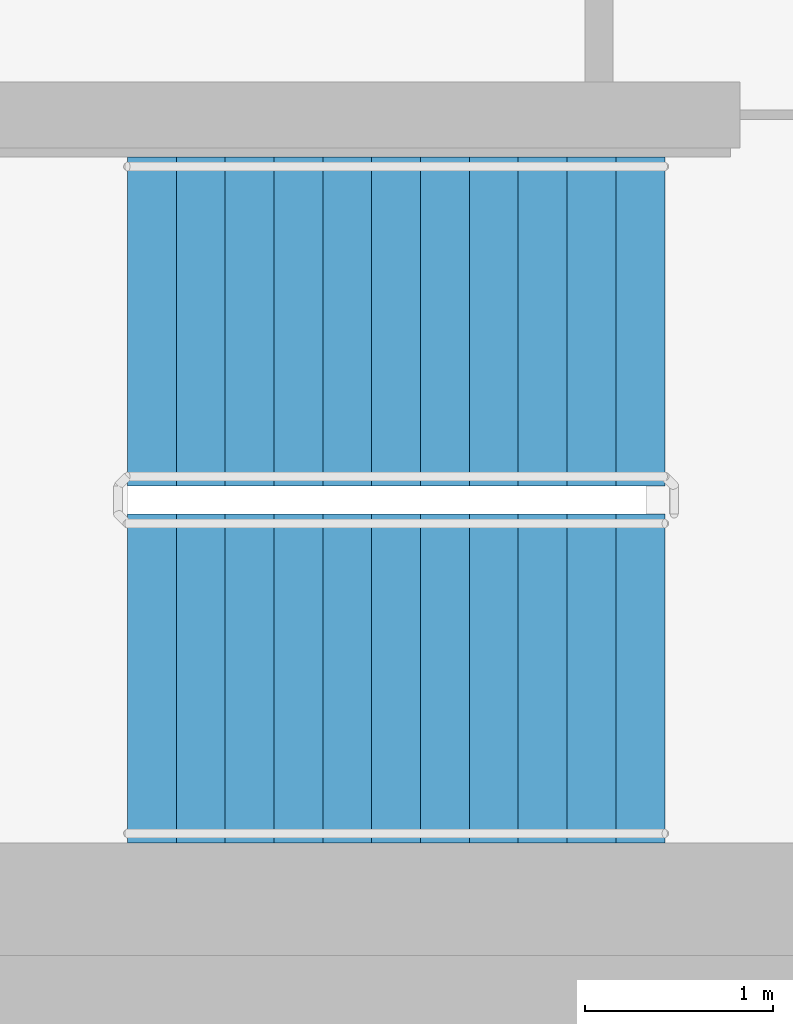
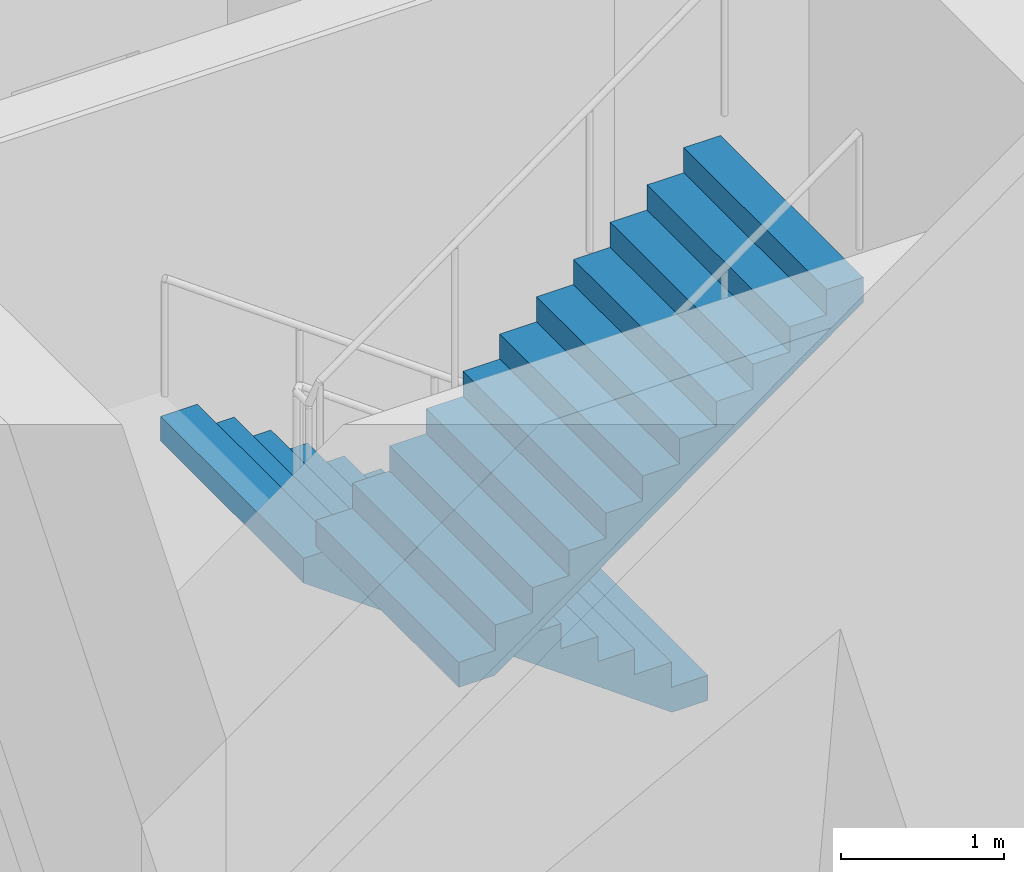
# One storey, part 11 of 17: 2 stair flights, 1 element without a shape of its own.
"""IFC4 building model written with IfcOpenShell, lengths in metres."""

from ifc_helpers import new_model, si_unit, direction, frame, origin, place, context, subcontext, project, spatial, faceted_brep, material, type_object, element, aggregate, save


model = new_model("IFC4")

# Units and contexts
model_context = context("Model", 3, precision=1e-05, world=origin(), true_north=direction((0.0, 1.0)))
body_context = subcontext(model_context, "Body", "Model", "MODEL_VIEW")
ifc_project = project(units=[si_unit("LENGTHUNIT", "METRE"), si_unit("AREAUNIT", "SQUARE_METRE"), si_unit("VOLUMEUNIT", "CUBIC_METRE"), si_unit("PLANEANGLEUNIT", "RADIAN"), si_unit("MASSUNIT", "GRAM", prefix="KILO")], contexts=[model_context])

# Site, building, storey
site_placement = place(None, origin())
site = spatial("IfcSite", under=ifc_project, at=site_placement, CompositionType="ELEMENT")
building_placement = place(site_placement, origin())
building = spatial("IfcBuilding", under=site, at=building_placement, Name="Ipe Terrace Towers", CompositionType="ELEMENT")
storey_placement = place(building_placement, frame((0.0, 0.0, 246.89990234375)))
storey = spatial("IfcBuildingStorey", under=building, at=storey_placement, Name="L68", CompositionType="ELEMENT", Elevation=246.89990234375)

# Stair, stair flights
ifc_material_1 = material(Name="Concrete C30/37", Category="concrete")
stair_type = type_object("IfcStairType", Name="Protected exit stair", PredefinedType="HALF_TURN_STAIR", material=ifc_material_1)
stair_placement = place(storey_placement, origin())
stair = element("IfcStair", 1, at=stair_placement, inside=storey, type_object=stair_type, Name="L68 Exit stair T1-C2", PredefinedType="HALF_TURN_STAIR")
ifc_material_2 = material(Name="Concrete C30/37", Category="concrete")
stair_flight_type = type_object("IfcStairFlightType", Name="Exit stair flight 1750", PredefinedType="STRAIGHT", material=ifc_material_2)
stair_flight_1_placement = place(storey_placement, frame((-45.699951171875, -2.77490234375, 0.0), z_axis=(0.0, 0.0, 1.0), x_axis=(-1.0, 0.0, 0.0)))
stair_flight_1 = element("IfcStairFlight", 2, at=stair_flight_1_placement, type_object=stair_flight_type, Name="T1-ST2 flight 1", NumberOfRisers=12, NumberOfTreads=11, PredefinedType="STRAIGHT", RiserHeight=0.1875, TreadLength=0.26, context=body_context, shape_type="Brep", body=[
    faceted_brep([(0.25634765625, -0.875, 0.0), (2.860107421875, -0.875, 1.877685546875), (2.860107421875, -0.875, 2.0625), (2.60009765625, -0.875, 2.0625), (2.60009765625, -0.875, 1.875), (2.340087890625, -0.875, 1.875), (2.340087890625, -0.875, 1.6875), (2.080078125, -0.875, 1.6875), (2.080078125, -0.875, 1.5), (1.820068359375, -0.875, 1.5), (1.820068359375, -0.875, 1.3125), (1.56005859375, -0.875, 1.3125), (1.56005859375, -0.875, 1.125), (1.300048828125, -0.875, 1.125), (1.300048828125, -0.875, 0.9375), (1.0400390625, -0.875, 0.9375), (1.0400390625, -0.875, 0.75), (0.780029296875, -0.875, 0.75), (0.780029296875, -0.875, 0.5625), (0.52001953125, -0.875, 0.5625), (0.52001953125, -0.875, 0.375), (0.260009765625, -0.875, 0.375), (0.260009765625, -0.875, 0.1875), (0.0, -0.875, 0.1875), (0.0, -0.875, 0.0), (0.0, 0.875, 0.0), (0.0, 0.875, 0.1875), (0.260009765625, 0.875, 0.1875), (0.260009765625, 0.875, 0.375), (0.52001953125, 0.875, 0.375), (0.52001953125, 0.875, 0.5625), (0.780029296875, 0.875, 0.5625), (0.780029296875, 0.875, 0.75), (1.0400390625, 0.875, 0.75), (1.0400390625, 0.875, 0.9375), (1.300048828125, 0.875, 0.9375), (1.300048828125, 0.875, 1.125), (1.56005859375, 0.875, 1.125), (1.56005859375, 0.875, 1.3125), (1.820068359375, 0.875, 1.3125), (1.820068359375, 0.875, 1.5), (2.080078125, 0.875, 1.5), (2.080078125, 0.875, 1.6875), (2.340087890625, 0.875, 1.6875), (2.340087890625, 0.875, 1.875), (2.60009765625, 0.875, 1.875), (2.60009765625, 0.875, 2.0625), (2.860107421875, 0.875, 2.0625), (2.860107421875, 0.875, 1.877685546875), (0.25634765625, 0.875, 0.0), (0.0, -0.300048828125, 0.1875), (0.0, -0.1201171875, 0.1875), (0.0, -0.06005859375, 0.1875), (0.0, -0.030029296875, 0.1875), (0.0, -0.010009765625, 0.1875), (0.0, 0.0, 0.1875), (0.0, 0.010009765625, 0.1875), (0.0, 0.030029296875, 0.1875), (0.0, 0.06005859375, 0.1875), (0.0, 0.1201171875, 0.1875), (0.0, 0.300048828125, 0.1875), (0.0, 0.300048828125, 0.0), (0.0, 0.1201171875, 0.0), (0.0, 0.06005859375, 0.0), (0.0, 0.030029296875, 0.0), (0.0, 0.010009765625, 0.0), (0.0, 0.0, 0.0), (0.0, -0.010009765625, 0.0), (0.0, -0.030029296875, 0.0), (0.0, -0.06005859375, 0.0), (0.0, -0.1201171875, 0.0), (0.0, -0.300048828125, 0.0), (0.260009765625, -0.300048828125, 0.1875), (0.260009765625, -0.1201171875, 0.1875), (0.260009765625, -0.06005859375, 0.1875), (0.260009765625, -0.030029296875, 0.1875), (0.260009765625, -0.010009765625, 0.1875), (0.260009765625, 0.0, 0.1875), (0.260009765625, 0.010009765625, 0.1875), (0.260009765625, 0.030029296875, 0.1875), (0.260009765625, 0.06005859375, 0.1875), (0.260009765625, 0.1201171875, 0.1875), (0.260009765625, 0.300048828125, 0.1875), (0.260009765625, -0.300048828125, 0.375), (0.260009765625, -0.1201171875, 0.375), (0.260009765625, -0.06005859375, 0.375), (0.260009765625, -0.030029296875, 0.375), (0.260009765625, -0.010009765625, 0.375), (0.260009765625, 0.0, 0.375), (0.260009765625, 0.010009765625, 0.375), (0.260009765625, 0.030029296875, 0.375), (0.260009765625, 0.06005859375, 0.375), (0.260009765625, 0.1201171875, 0.375), (0.260009765625, 0.300048828125, 0.375), (0.52001953125, -0.300048828125, 0.375), (0.52001953125, -0.1201171875, 0.375), (0.52001953125, -0.06005859375, 0.375), (0.52001953125, -0.030029296875, 0.375), (0.52001953125, -0.010009765625, 0.375), (0.52001953125, 0.0, 0.375), (0.52001953125, 0.010009765625, 0.375), (0.52001953125, 0.030029296875, 0.375), (0.52001953125, 0.06005859375, 0.375), (0.52001953125, 0.1201171875, 0.375), (0.52001953125, 0.300048828125, 0.375), (0.52001953125, -0.300048828125, 0.5625), (0.52001953125, -0.1201171875, 0.5625), (0.52001953125, -0.06005859375, 0.5625), (0.52001953125, -0.030029296875, 0.5625), (0.52001953125, -0.010009765625, 0.5625), (0.52001953125, 0.0, 0.5625), (0.52001953125, 0.010009765625, 0.5625), (0.52001953125, 0.030029296875, 0.5625), (0.52001953125, 0.06005859375, 0.5625), (0.52001953125, 0.1201171875, 0.5625), (0.52001953125, 0.300048828125, 0.5625), (0.780029296875, -0.300048828125, 0.5625), (0.780029296875, -0.1201171875, 0.5625), (0.780029296875, -0.06005859375, 0.5625), (0.780029296875, -0.030029296875, 0.5625), (0.780029296875, -0.010009765625, 0.5625), (0.780029296875, 0.0, 0.5625), (0.780029296875, 0.010009765625, 0.5625), (0.780029296875, 0.030029296875, 0.5625), (0.780029296875, 0.06005859375, 0.5625), (0.780029296875, 0.1201171875, 0.5625), (0.780029296875, 0.300048828125, 0.5625), (0.780029296875, -0.300048828125, 0.75), (0.780029296875, -0.1201171875, 0.75), (0.780029296875, -0.06005859375, 0.75), (0.780029296875, -0.030029296875, 0.75), (0.780029296875, -0.010009765625, 0.75), (0.780029296875, 0.0, 0.75), (0.780029296875, 0.010009765625, 0.75), (0.780029296875, 0.030029296875, 0.75), (0.780029296875, 0.06005859375, 0.75), (0.780029296875, 0.1201171875, 0.75), (0.780029296875, 0.300048828125, 0.75), (1.0400390625, -0.300048828125, 0.75), (1.0400390625, -0.1201171875, 0.75), (1.0400390625, -0.06005859375, 0.75), (1.0400390625, -0.030029296875, 0.75), (1.0400390625, -0.010009765625, 0.75), (1.0400390625, 0.0, 0.75), (1.0400390625, 0.010009765625, 0.75), (1.0400390625, 0.030029296875, 0.75), (1.0400390625, 0.06005859375, 0.75), (1.0400390625, 0.1201171875, 0.75), (1.0400390625, 0.300048828125, 0.75), (1.0400390625, -0.300048828125, 0.9375), (1.0400390625, -0.1201171875, 0.9375), (1.0400390625, -0.06005859375, 0.9375), (1.0400390625, -0.030029296875, 0.9375), (1.0400390625, -0.010009765625, 0.9375), (1.0400390625, 0.0, 0.9375), (1.0400390625, 0.010009765625, 0.9375), (1.0400390625, 0.030029296875, 0.9375), (1.0400390625, 0.06005859375, 0.9375), (1.0400390625, 0.1201171875, 0.9375), (1.0400390625, 0.300048828125, 0.9375), (1.300048828125, -0.300048828125, 0.9375), (1.300048828125, -0.1201171875, 0.9375), (1.300048828125, -0.06005859375, 0.9375), (1.300048828125, -0.030029296875, 0.9375), (1.300048828125, -0.010009765625, 0.9375), (1.300048828125, 0.0, 0.9375), (1.300048828125, 0.010009765625, 0.9375), (1.300048828125, 0.030029296875, 0.9375), (1.300048828125, 0.06005859375, 0.9375), (1.300048828125, 0.1201171875, 0.9375), (1.300048828125, 0.300048828125, 0.9375), (1.300048828125, -0.300048828125, 1.125), (1.300048828125, -0.1201171875, 1.125), (1.300048828125, -0.06005859375, 1.125), (1.300048828125, -0.030029296875, 1.125), (1.300048828125, -0.010009765625, 1.125), (1.300048828125, 0.0, 1.125), (1.300048828125, 0.010009765625, 1.125), (1.300048828125, 0.030029296875, 1.125), (1.300048828125, 0.06005859375, 1.125), (1.300048828125, 0.1201171875, 1.125), (1.300048828125, 0.300048828125, 1.125), (1.56005859375, -0.300048828125, 1.125), (1.56005859375, -0.1201171875, 1.125), (1.56005859375, -0.06005859375, 1.125), (1.56005859375, -0.030029296875, 1.125), (1.56005859375, -0.010009765625, 1.125), (1.56005859375, 0.0, 1.125), (1.56005859375, 0.010009765625, 1.125), (1.56005859375, 0.030029296875, 1.125), (1.56005859375, 0.06005859375, 1.125), (1.56005859375, 0.1201171875, 1.125), (1.56005859375, 0.300048828125, 1.125), (1.56005859375, -0.300048828125, 1.3125), (1.56005859375, -0.1201171875, 1.3125), (1.56005859375, -0.06005859375, 1.3125), (1.56005859375, -0.030029296875, 1.3125), (1.56005859375, -0.010009765625, 1.3125), (1.56005859375, 0.0, 1.3125), (1.56005859375, 0.010009765625, 1.3125), (1.56005859375, 0.030029296875, 1.3125), (1.56005859375, 0.06005859375, 1.3125), (1.56005859375, 0.1201171875, 1.3125), (1.56005859375, 0.300048828125, 1.3125), (1.820068359375, -0.300048828125, 1.3125), (1.820068359375, -0.1201171875, 1.3125), (1.820068359375, -0.06005859375, 1.3125), (1.820068359375, -0.030029296875, 1.3125), (1.820068359375, -0.010009765625, 1.3125), (1.820068359375, 0.0, 1.3125), (1.820068359375, 0.010009765625, 1.3125), (1.820068359375, 0.030029296875, 1.3125), (1.820068359375, 0.06005859375, 1.3125), (1.820068359375, 0.1201171875, 1.3125), (1.820068359375, 0.300048828125, 1.3125), (1.820068359375, -0.300048828125, 1.5), (1.820068359375, -0.1201171875, 1.5), (1.820068359375, -0.06005859375, 1.5), (1.820068359375, -0.030029296875, 1.5), (1.820068359375, -0.010009765625, 1.5), (1.820068359375, 0.0, 1.5), (1.820068359375, 0.010009765625, 1.5), (1.820068359375, 0.030029296875, 1.5), (1.820068359375, 0.06005859375, 1.5), (1.820068359375, 0.1201171875, 1.5), (1.820068359375, 0.300048828125, 1.5), (2.080078125, -0.300048828125, 1.5), (2.080078125, -0.1201171875, 1.5), (2.080078125, -0.06005859375, 1.5), (2.080078125, -0.030029296875, 1.5), (2.080078125, -0.010009765625, 1.5), (2.080078125, 0.0, 1.5), (2.080078125, 0.010009765625, 1.5), (2.080078125, 0.030029296875, 1.5), (2.080078125, 0.06005859375, 1.5), (2.080078125, 0.1201171875, 1.5), (2.080078125, 0.300048828125, 1.5), (2.080078125, -0.300048828125, 1.6875), (2.080078125, -0.1201171875, 1.6875), (2.080078125, -0.06005859375, 1.6875), (2.080078125, -0.030029296875, 1.6875), (2.080078125, -0.010009765625, 1.6875), (2.080078125, 0.0, 1.6875), (2.080078125, 0.010009765625, 1.6875), (2.080078125, 0.030029296875, 1.6875), (2.080078125, 0.06005859375, 1.6875), (2.080078125, 0.1201171875, 1.6875), (2.080078125, 0.300048828125, 1.6875), (2.340087890625, -0.300048828125, 1.6875), (2.340087890625, -0.1201171875, 1.6875), (2.340087890625, -0.06005859375, 1.6875), (2.340087890625, -0.030029296875, 1.6875), (2.340087890625, -0.010009765625, 1.6875), (2.340087890625, 0.0, 1.6875), (2.340087890625, 0.010009765625, 1.6875), (2.340087890625, 0.030029296875, 1.6875), (2.340087890625, 0.06005859375, 1.6875), (2.340087890625, 0.1201171875, 1.6875), (2.340087890625, 0.300048828125, 1.6875), (2.340087890625, -0.300048828125, 1.875), (2.340087890625, -0.1201171875, 1.875), (2.340087890625, -0.06005859375, 1.875), (2.340087890625, -0.030029296875, 1.875), (2.340087890625, -0.010009765625, 1.875), (2.340087890625, 0.0, 1.875), (2.340087890625, 0.010009765625, 1.875), (2.340087890625, 0.030029296875, 1.875), (2.340087890625, 0.06005859375, 1.875), (2.340087890625, 0.1201171875, 1.875), (2.340087890625, 0.300048828125, 1.875), (2.60009765625, -0.300048828125, 1.875), (2.60009765625, -0.1201171875, 1.875), (2.60009765625, -0.06005859375, 1.875), (2.60009765625, -0.030029296875, 1.875), (2.60009765625, -0.010009765625, 1.875), (2.60009765625, 0.0, 1.875), (2.60009765625, 0.010009765625, 1.875), (2.60009765625, 0.030029296875, 1.875), (2.60009765625, 0.06005859375, 1.875), (2.60009765625, 0.1201171875, 1.875), (2.60009765625, 0.300048828125, 1.875), (2.60009765625, -0.300048828125, 2.0625), (2.60009765625, -0.1201171875, 2.0625), (2.60009765625, -0.06005859375, 2.0625), (2.60009765625, -0.030029296875, 2.0625), (2.60009765625, -0.010009765625, 2.0625), (2.60009765625, 0.0, 2.0625), (2.60009765625, 0.010009765625, 2.0625), (2.60009765625, 0.030029296875, 2.0625), (2.60009765625, 0.06005859375, 2.0625), (2.60009765625, 0.1201171875, 2.0625), (2.60009765625, 0.300048828125, 2.0625), (2.860107421875, -0.300048828125, 2.0625), (2.860107421875, -0.1201171875, 2.0625), (2.860107421875, -0.06005859375, 2.0625), (2.860107421875, -0.030029296875, 2.0625), (2.860107421875, -0.010009765625, 2.0625), (2.860107421875, 0.0, 2.0625), (2.860107421875, 0.010009765625, 2.0625), (2.860107421875, 0.030029296875, 2.0625), (2.860107421875, 0.06005859375, 2.0625), (2.860107421875, 0.1201171875, 2.0625), (2.860107421875, 0.300048828125, 2.0625), (2.860107421875, -0.300048828125, 1.877685546875), (2.860107421875, -0.1201171875, 1.877685546875), (2.860107421875, -0.06005859375, 1.877685546875), (2.860107421875, -0.030029296875, 1.877685546875), (2.860107421875, -0.010009765625, 1.877685546875), (2.860107421875, 0.0, 1.877685546875), (2.860107421875, 0.010009765625, 1.877685546875), (2.860107421875, 0.030029296875, 1.877685546875), (2.860107421875, 0.06005859375, 1.877685546875), (2.860107421875, 0.1201171875, 1.877685546875), (2.860107421875, 0.300048828125, 1.877685546875), (0.25634765625, -0.300048828125, 0.0), (0.25634765625, -0.1201171875, 0.0), (0.25634765625, -0.06005859375, 0.0), (0.25634765625, -0.030029296875, 0.0), (0.25634765625, -0.010009765625, 0.0), (0.25634765625, 0.0, 0.0), (0.25634765625, 0.010009765625, 0.0), (0.25634765625, 0.030029296875, 0.0), (0.25634765625, 0.06005859375, 0.0), (0.25634765625, 0.1201171875, 0.0), (0.25634765625, 0.300048828125, 0.0)], [[[0, 1, 2, 3, 4, 5, 6, 7, 8, 9, 10, 11, 12, 13, 14, 15, 16, 17, 18, 19, 20, 21, 22, 23, 24]], [[25, 26, 27, 28, 29, 30, 31, 32, 33, 34, 35, 36, 37, 38, 39, 40, 41, 42, 43, 44, 45, 46, 47, 48, 49]], [[23, 50, 51, 52, 53, 54, 55, 56, 57, 58, 59, 60, 26, 25, 61, 62, 63, 64, 65, 66, 67, 68, 69, 70, 71, 24]], [[22, 72, 73, 74, 75, 76, 77, 78, 79, 80, 81, 82, 27, 26, 60, 59, 58, 57, 56, 55, 54, 53, 52, 51, 50, 23]], [[21, 83, 84, 85, 86, 87, 88, 89, 90, 91, 92, 93, 28, 27, 82, 81, 80, 79, 78, 77, 76, 75, 74, 73, 72, 22]], [[20, 94, 95, 96, 97, 98, 99, 100, 101, 102, 103, 104, 29, 28, 93, 92, 91, 90, 89, 88, 87, 86, 85, 84, 83, 21]], [[19, 105, 106, 107, 108, 109, 110, 111, 112, 113, 114, 115, 30, 29, 104, 103, 102, 101, 100, 99, 98, 97, 96, 95, 94, 20]], [[18, 116, 117, 118, 119, 120, 121, 122, 123, 124, 125, 126, 31, 30, 115, 114, 113, 112, 111, 110, 109, 108, 107, 106, 105, 19]], [[17, 127, 128, 129, 130, 131, 132, 133, 134, 135, 136, 137, 32, 31, 126, 125, 124, 123, 122, 121, 120, 119, 118, 117, 116, 18]], [[16, 138, 139, 140, 141, 142, 143, 144, 145, 146, 147, 148, 33, 32, 137, 136, 135, 134, 133, 132, 131, 130, 129, 128, 127, 17]], [[15, 149, 150, 151, 152, 153, 154, 155, 156, 157, 158, 159, 34, 33, 148, 147, 146, 145, 144, 143, 142, 141, 140, 139, 138, 16]], [[14, 160, 161, 162, 163, 164, 165, 166, 167, 168, 169, 170, 35, 34, 159, 158, 157, 156, 155, 154, 153, 152, 151, 150, 149, 15]], [[13, 171, 172, 173, 174, 175, 176, 177, 178, 179, 180, 181, 36, 35, 170, 169, 168, 167, 166, 165, 164, 163, 162, 161, 160, 14]], [[12, 182, 183, 184, 185, 186, 187, 188, 189, 190, 191, 192, 37, 36, 181, 180, 179, 178, 177, 176, 175, 174, 173, 172, 171, 13]], [[11, 193, 194, 195, 196, 197, 198, 199, 200, 201, 202, 203, 38, 37, 192, 191, 190, 189, 188, 187, 186, 185, 184, 183, 182, 12]], [[10, 204, 205, 206, 207, 208, 209, 210, 211, 212, 213, 214, 39, 38, 203, 202, 201, 200, 199, 198, 197, 196, 195, 194, 193, 11]], [[9, 215, 216, 217, 218, 219, 220, 221, 222, 223, 224, 225, 40, 39, 214, 213, 212, 211, 210, 209, 208, 207, 206, 205, 204, 10]], [[8, 226, 227, 228, 229, 230, 231, 232, 233, 234, 235, 236, 41, 40, 225, 224, 223, 222, 221, 220, 219, 218, 217, 216, 215, 9]], [[7, 237, 238, 239, 240, 241, 242, 243, 244, 245, 246, 247, 42, 41, 236, 235, 234, 233, 232, 231, 230, 229, 228, 227, 226, 8]], [[6, 248, 249, 250, 251, 252, 253, 254, 255, 256, 257, 258, 43, 42, 247, 246, 245, 244, 243, 242, 241, 240, 239, 238, 237, 7]], [[5, 259, 260, 261, 262, 263, 264, 265, 266, 267, 268, 269, 44, 43, 258, 257, 256, 255, 254, 253, 252, 251, 250, 249, 248, 6]], [[4, 270, 271, 272, 273, 274, 275, 276, 277, 278, 279, 280, 45, 44, 269, 268, 267, 266, 265, 264, 263, 262, 261, 260, 259, 5]], [[3, 281, 282, 283, 284, 285, 286, 287, 288, 289, 290, 291, 46, 45, 280, 279, 278, 277, 276, 275, 274, 273, 272, 271, 270, 4]], [[2, 292, 293, 294, 295, 296, 297, 298, 299, 300, 301, 302, 47, 46, 291, 290, 289, 288, 287, 286, 285, 284, 283, 282, 281, 3]], [[1, 303, 304, 305, 306, 307, 308, 309, 310, 311, 312, 313, 48, 47, 302, 301, 300, 299, 298, 297, 296, 295, 294, 293, 292, 2]], [[0, 314, 315, 316, 317, 318, 319, 320, 321, 322, 323, 324, 49, 48, 313, 312, 311, 310, 309, 308, 307, 306, 305, 304, 303, 1]], [[24, 71, 70, 69, 68, 67, 66, 65, 64, 63, 62, 61, 25, 49, 324, 323, 322, 321, 320, 319, 318, 317, 316, 315, 314, 0]]]),
])
stair_flight_2_placement = place(storey_placement, frame((-48.56005859375, -4.675048828125, 2.25), z_axis=(0.0, 0.0, 1.0), x_axis=(1.0, 0.0, 0.0)))
stair_flight_2 = element("IfcStairFlight", 3, at=stair_flight_2_placement, type_object=stair_flight_type, Name="T1-ST2 flight 2", NumberOfRisers=12, NumberOfTreads=11, PredefinedType="STRAIGHT", RiserHeight=0.1875, TreadLength=0.26, context=body_context, shape_type="Brep", body=[
    faceted_brep([(0.25634765625, -0.875, 0.0), (2.860107421875, -0.875, 1.877685546875), (2.860107421875, -0.875, 2.0625), (2.60009765625, -0.875, 2.0625), (2.60009765625, -0.875, 1.875), (2.340087890625, -0.875, 1.875), (2.340087890625, -0.875, 1.6875), (2.080078125, -0.875, 1.6875), (2.080078125, -0.875, 1.5), (1.820068359375, -0.875, 1.5), (1.820068359375, -0.875, 1.3125), (1.56005859375, -0.875, 1.3125), (1.56005859375, -0.875, 1.125), (1.300048828125, -0.875, 1.125), (1.300048828125, -0.875, 0.9375), (1.0400390625, -0.875, 0.9375), (1.0400390625, -0.875, 0.75), (0.780029296875, -0.875, 0.75), (0.780029296875, -0.875, 0.5625), (0.52001953125, -0.875, 0.5625), (0.52001953125, -0.875, 0.375), (0.260009765625, -0.875, 0.375), (0.260009765625, -0.875, 0.1875), (0.0, -0.875, 0.1875), (0.0, -0.875, 0.0), (0.0, 0.875, 0.0), (0.0, 0.875, 0.1875), (0.260009765625, 0.875, 0.1875), (0.260009765625, 0.875, 0.375), (0.52001953125, 0.875, 0.375), (0.52001953125, 0.875, 0.5625), (0.780029296875, 0.875, 0.5625), (0.780029296875, 0.875, 0.75), (1.0400390625, 0.875, 0.75), (1.0400390625, 0.875, 0.9375), (1.300048828125, 0.875, 0.9375), (1.300048828125, 0.875, 1.125), (1.56005859375, 0.875, 1.125), (1.56005859375, 0.875, 1.3125), (1.820068359375, 0.875, 1.3125), (1.820068359375, 0.875, 1.5), (2.080078125, 0.875, 1.5), (2.080078125, 0.875, 1.6875), (2.340087890625, 0.875, 1.6875), (2.340087890625, 0.875, 1.875), (2.60009765625, 0.875, 1.875), (2.60009765625, 0.875, 2.0625), (2.860107421875, 0.875, 2.0625), (2.860107421875, 0.875, 1.877685546875), (0.25634765625, 0.875, 0.0), (0.0, -0.300048828125, 0.1875), (0.0, -0.1201171875, 0.1875), (0.0, -0.06005859375, 0.1875), (0.0, -0.030029296875, 0.1875), (0.0, -0.010009765625, 0.1875), (0.0, 0.0, 0.1875), (0.0, 0.010009765625, 0.1875), (0.0, 0.030029296875, 0.1875), (0.0, 0.06005859375, 0.1875), (0.0, 0.1201171875, 0.1875), (0.0, 0.300048828125, 0.1875), (0.0, 0.300048828125, 0.0), (0.0, 0.1201171875, 0.0), (0.0, 0.06005859375, 0.0), (0.0, 0.030029296875, 0.0), (0.0, 0.010009765625, 0.0), (0.0, 0.0, 0.0), (0.0, -0.010009765625, 0.0), (0.0, -0.030029296875, 0.0), (0.0, -0.06005859375, 0.0), (0.0, -0.1201171875, 0.0), (0.0, -0.300048828125, 0.0), (0.260009765625, -0.300048828125, 0.1875), (0.260009765625, -0.1201171875, 0.1875), (0.260009765625, -0.06005859375, 0.1875), (0.260009765625, -0.030029296875, 0.1875), (0.260009765625, -0.010009765625, 0.1875), (0.260009765625, 0.0, 0.1875), (0.260009765625, 0.010009765625, 0.1875), (0.260009765625, 0.030029296875, 0.1875), (0.260009765625, 0.06005859375, 0.1875), (0.260009765625, 0.1201171875, 0.1875), (0.260009765625, 0.300048828125, 0.1875), (0.260009765625, -0.300048828125, 0.375), (0.260009765625, -0.1201171875, 0.375), (0.260009765625, -0.06005859375, 0.375), (0.260009765625, -0.030029296875, 0.375), (0.260009765625, -0.010009765625, 0.375), (0.260009765625, 0.0, 0.375), (0.260009765625, 0.010009765625, 0.375), (0.260009765625, 0.030029296875, 0.375), (0.260009765625, 0.06005859375, 0.375), (0.260009765625, 0.1201171875, 0.375), (0.260009765625, 0.300048828125, 0.375), (0.52001953125, -0.300048828125, 0.375), (0.52001953125, -0.1201171875, 0.375), (0.52001953125, -0.06005859375, 0.375), (0.52001953125, -0.030029296875, 0.375), (0.52001953125, -0.010009765625, 0.375), (0.52001953125, 0.0, 0.375), (0.52001953125, 0.010009765625, 0.375), (0.52001953125, 0.030029296875, 0.375), (0.52001953125, 0.06005859375, 0.375), (0.52001953125, 0.1201171875, 0.375), (0.52001953125, 0.300048828125, 0.375), (0.52001953125, -0.300048828125, 0.5625), (0.52001953125, -0.1201171875, 0.5625), (0.52001953125, -0.06005859375, 0.5625), (0.52001953125, -0.030029296875, 0.5625), (0.52001953125, -0.010009765625, 0.5625), (0.52001953125, 0.0, 0.5625), (0.52001953125, 0.010009765625, 0.5625), (0.52001953125, 0.030029296875, 0.5625), (0.52001953125, 0.06005859375, 0.5625), (0.52001953125, 0.1201171875, 0.5625), (0.52001953125, 0.300048828125, 0.5625), (0.780029296875, -0.300048828125, 0.5625), (0.780029296875, -0.1201171875, 0.5625), (0.780029296875, -0.06005859375, 0.5625), (0.780029296875, -0.030029296875, 0.5625), (0.780029296875, -0.010009765625, 0.5625), (0.780029296875, 0.0, 0.5625), (0.780029296875, 0.010009765625, 0.5625), (0.780029296875, 0.030029296875, 0.5625), (0.780029296875, 0.06005859375, 0.5625), (0.780029296875, 0.1201171875, 0.5625), (0.780029296875, 0.300048828125, 0.5625), (0.780029296875, -0.300048828125, 0.75), (0.780029296875, -0.1201171875, 0.75), (0.780029296875, -0.06005859375, 0.75), (0.780029296875, -0.030029296875, 0.75), (0.780029296875, -0.010009765625, 0.75), (0.780029296875, 0.0, 0.75), (0.780029296875, 0.010009765625, 0.75), (0.780029296875, 0.030029296875, 0.75), (0.780029296875, 0.06005859375, 0.75), (0.780029296875, 0.1201171875, 0.75), (0.780029296875, 0.300048828125, 0.75), (1.0400390625, -0.300048828125, 0.75), (1.0400390625, -0.1201171875, 0.75), (1.0400390625, -0.06005859375, 0.75), (1.0400390625, -0.030029296875, 0.75), (1.0400390625, -0.010009765625, 0.75), (1.0400390625, 0.0, 0.75), (1.0400390625, 0.010009765625, 0.75), (1.0400390625, 0.030029296875, 0.75), (1.0400390625, 0.06005859375, 0.75), (1.0400390625, 0.1201171875, 0.75), (1.0400390625, 0.300048828125, 0.75), (1.0400390625, -0.300048828125, 0.9375), (1.0400390625, -0.1201171875, 0.9375), (1.0400390625, -0.06005859375, 0.9375), (1.0400390625, -0.030029296875, 0.9375), (1.0400390625, -0.010009765625, 0.9375), (1.0400390625, 0.0, 0.9375), (1.0400390625, 0.010009765625, 0.9375), (1.0400390625, 0.030029296875, 0.9375), (1.0400390625, 0.06005859375, 0.9375), (1.0400390625, 0.1201171875, 0.9375), (1.0400390625, 0.300048828125, 0.9375), (1.300048828125, -0.300048828125, 0.9375), (1.300048828125, -0.1201171875, 0.9375), (1.300048828125, -0.06005859375, 0.9375), (1.300048828125, -0.030029296875, 0.9375), (1.300048828125, -0.010009765625, 0.9375), (1.300048828125, 0.0, 0.9375), (1.300048828125, 0.010009765625, 0.9375), (1.300048828125, 0.030029296875, 0.9375), (1.300048828125, 0.06005859375, 0.9375), (1.300048828125, 0.1201171875, 0.9375), (1.300048828125, 0.300048828125, 0.9375), (1.300048828125, -0.300048828125, 1.125), (1.300048828125, -0.1201171875, 1.125), (1.300048828125, -0.06005859375, 1.125), (1.300048828125, -0.030029296875, 1.125), (1.300048828125, -0.010009765625, 1.125), (1.300048828125, 0.0, 1.125), (1.300048828125, 0.010009765625, 1.125), (1.300048828125, 0.030029296875, 1.125), (1.300048828125, 0.06005859375, 1.125), (1.300048828125, 0.1201171875, 1.125), (1.300048828125, 0.300048828125, 1.125), (1.56005859375, -0.300048828125, 1.125), (1.56005859375, -0.1201171875, 1.125), (1.56005859375, -0.06005859375, 1.125), (1.56005859375, -0.030029296875, 1.125), (1.56005859375, -0.010009765625, 1.125), (1.56005859375, 0.0, 1.125), (1.56005859375, 0.010009765625, 1.125), (1.56005859375, 0.030029296875, 1.125), (1.56005859375, 0.06005859375, 1.125), (1.56005859375, 0.1201171875, 1.125), (1.56005859375, 0.300048828125, 1.125), (1.56005859375, -0.300048828125, 1.3125), (1.56005859375, -0.1201171875, 1.3125), (1.56005859375, -0.06005859375, 1.3125), (1.56005859375, -0.030029296875, 1.3125), (1.56005859375, -0.010009765625, 1.3125), (1.56005859375, 0.0, 1.3125), (1.56005859375, 0.010009765625, 1.3125), (1.56005859375, 0.030029296875, 1.3125), (1.56005859375, 0.06005859375, 1.3125), (1.56005859375, 0.1201171875, 1.3125), (1.56005859375, 0.300048828125, 1.3125), (1.820068359375, -0.300048828125, 1.3125), (1.820068359375, -0.1201171875, 1.3125), (1.820068359375, -0.06005859375, 1.3125), (1.820068359375, -0.030029296875, 1.3125), (1.820068359375, -0.010009765625, 1.3125), (1.820068359375, 0.0, 1.3125), (1.820068359375, 0.010009765625, 1.3125), (1.820068359375, 0.030029296875, 1.3125), (1.820068359375, 0.06005859375, 1.3125), (1.820068359375, 0.1201171875, 1.3125), (1.820068359375, 0.300048828125, 1.3125), (1.820068359375, -0.300048828125, 1.5), (1.820068359375, -0.1201171875, 1.5), (1.820068359375, -0.06005859375, 1.5), (1.820068359375, -0.030029296875, 1.5), (1.820068359375, -0.010009765625, 1.5), (1.820068359375, 0.0, 1.5), (1.820068359375, 0.010009765625, 1.5), (1.820068359375, 0.030029296875, 1.5), (1.820068359375, 0.06005859375, 1.5), (1.820068359375, 0.1201171875, 1.5), (1.820068359375, 0.300048828125, 1.5), (2.080078125, -0.300048828125, 1.5), (2.080078125, -0.1201171875, 1.5), (2.080078125, -0.06005859375, 1.5), (2.080078125, -0.030029296875, 1.5), (2.080078125, -0.010009765625, 1.5), (2.080078125, 0.0, 1.5), (2.080078125, 0.010009765625, 1.5), (2.080078125, 0.030029296875, 1.5), (2.080078125, 0.06005859375, 1.5), (2.080078125, 0.1201171875, 1.5), (2.080078125, 0.300048828125, 1.5), (2.080078125, -0.300048828125, 1.6875), (2.080078125, -0.1201171875, 1.6875), (2.080078125, -0.06005859375, 1.6875), (2.080078125, -0.030029296875, 1.6875), (2.080078125, -0.010009765625, 1.6875), (2.080078125, 0.0, 1.6875), (2.080078125, 0.010009765625, 1.6875), (2.080078125, 0.030029296875, 1.6875), (2.080078125, 0.06005859375, 1.6875), (2.080078125, 0.1201171875, 1.6875), (2.080078125, 0.300048828125, 1.6875), (2.340087890625, -0.300048828125, 1.6875), (2.340087890625, -0.1201171875, 1.6875), (2.340087890625, -0.06005859375, 1.6875), (2.340087890625, -0.030029296875, 1.6875), (2.340087890625, -0.010009765625, 1.6875), (2.340087890625, 0.0, 1.6875), (2.340087890625, 0.010009765625, 1.6875), (2.340087890625, 0.030029296875, 1.6875), (2.340087890625, 0.06005859375, 1.6875), (2.340087890625, 0.1201171875, 1.6875), (2.340087890625, 0.300048828125, 1.6875), (2.340087890625, -0.300048828125, 1.875), (2.340087890625, -0.1201171875, 1.875), (2.340087890625, -0.06005859375, 1.875), (2.340087890625, -0.030029296875, 1.875), (2.340087890625, -0.010009765625, 1.875), (2.340087890625, 0.0, 1.875), (2.340087890625, 0.010009765625, 1.875), (2.340087890625, 0.030029296875, 1.875), (2.340087890625, 0.06005859375, 1.875), (2.340087890625, 0.1201171875, 1.875), (2.340087890625, 0.300048828125, 1.875), (2.60009765625, -0.300048828125, 1.875), (2.60009765625, -0.1201171875, 1.875), (2.60009765625, -0.06005859375, 1.875), (2.60009765625, -0.030029296875, 1.875), (2.60009765625, -0.010009765625, 1.875), (2.60009765625, 0.0, 1.875), (2.60009765625, 0.010009765625, 1.875), (2.60009765625, 0.030029296875, 1.875), (2.60009765625, 0.06005859375, 1.875), (2.60009765625, 0.1201171875, 1.875), (2.60009765625, 0.300048828125, 1.875), (2.60009765625, -0.300048828125, 2.0625), (2.60009765625, -0.1201171875, 2.0625), (2.60009765625, -0.06005859375, 2.0625), (2.60009765625, -0.030029296875, 2.0625), (2.60009765625, -0.010009765625, 2.0625), (2.60009765625, 0.0, 2.0625), (2.60009765625, 0.010009765625, 2.0625), (2.60009765625, 0.030029296875, 2.0625), (2.60009765625, 0.06005859375, 2.0625), (2.60009765625, 0.1201171875, 2.0625), (2.60009765625, 0.300048828125, 2.0625), (2.860107421875, -0.300048828125, 2.0625), (2.860107421875, -0.1201171875, 2.0625), (2.860107421875, -0.06005859375, 2.0625), (2.860107421875, -0.030029296875, 2.0625), (2.860107421875, -0.010009765625, 2.0625), (2.860107421875, 0.0, 2.0625), (2.860107421875, 0.010009765625, 2.0625), (2.860107421875, 0.030029296875, 2.0625), (2.860107421875, 0.06005859375, 2.0625), (2.860107421875, 0.1201171875, 2.0625), (2.860107421875, 0.300048828125, 2.0625), (2.860107421875, -0.300048828125, 1.877685546875), (2.860107421875, -0.1201171875, 1.877685546875), (2.860107421875, -0.06005859375, 1.877685546875), (2.860107421875, -0.030029296875, 1.877685546875), (2.860107421875, -0.010009765625, 1.877685546875), (2.860107421875, 0.0, 1.877685546875), (2.860107421875, 0.010009765625, 1.877685546875), (2.860107421875, 0.030029296875, 1.877685546875), (2.860107421875, 0.06005859375, 1.877685546875), (2.860107421875, 0.1201171875, 1.877685546875), (2.860107421875, 0.300048828125, 1.877685546875), (0.25634765625, -0.300048828125, 0.0), (0.25634765625, -0.1201171875, 0.0), (0.25634765625, -0.06005859375, 0.0), (0.25634765625, -0.030029296875, 0.0), (0.25634765625, -0.010009765625, 0.0), (0.25634765625, 0.0, 0.0), (0.25634765625, 0.010009765625, 0.0), (0.25634765625, 0.030029296875, 0.0), (0.25634765625, 0.06005859375, 0.0), (0.25634765625, 0.1201171875, 0.0), (0.25634765625, 0.300048828125, 0.0)], [[[0, 1, 2, 3, 4, 5, 6, 7, 8, 9, 10, 11, 12, 13, 14, 15, 16, 17, 18, 19, 20, 21, 22, 23, 24]], [[25, 26, 27, 28, 29, 30, 31, 32, 33, 34, 35, 36, 37, 38, 39, 40, 41, 42, 43, 44, 45, 46, 47, 48, 49]], [[23, 50, 51, 52, 53, 54, 55, 56, 57, 58, 59, 60, 26, 25, 61, 62, 63, 64, 65, 66, 67, 68, 69, 70, 71, 24]], [[22, 72, 73, 74, 75, 76, 77, 78, 79, 80, 81, 82, 27, 26, 60, 59, 58, 57, 56, 55, 54, 53, 52, 51, 50, 23]], [[21, 83, 84, 85, 86, 87, 88, 89, 90, 91, 92, 93, 28, 27, 82, 81, 80, 79, 78, 77, 76, 75, 74, 73, 72, 22]], [[20, 94, 95, 96, 97, 98, 99, 100, 101, 102, 103, 104, 29, 28, 93, 92, 91, 90, 89, 88, 87, 86, 85, 84, 83, 21]], [[19, 105, 106, 107, 108, 109, 110, 111, 112, 113, 114, 115, 30, 29, 104, 103, 102, 101, 100, 99, 98, 97, 96, 95, 94, 20]], [[18, 116, 117, 118, 119, 120, 121, 122, 123, 124, 125, 126, 31, 30, 115, 114, 113, 112, 111, 110, 109, 108, 107, 106, 105, 19]], [[17, 127, 128, 129, 130, 131, 132, 133, 134, 135, 136, 137, 32, 31, 126, 125, 124, 123, 122, 121, 120, 119, 118, 117, 116, 18]], [[16, 138, 139, 140, 141, 142, 143, 144, 145, 146, 147, 148, 33, 32, 137, 136, 135, 134, 133, 132, 131, 130, 129, 128, 127, 17]], [[15, 149, 150, 151, 152, 153, 154, 155, 156, 157, 158, 159, 34, 33, 148, 147, 146, 145, 144, 143, 142, 141, 140, 139, 138, 16]], [[14, 160, 161, 162, 163, 164, 165, 166, 167, 168, 169, 170, 35, 34, 159, 158, 157, 156, 155, 154, 153, 152, 151, 150, 149, 15]], [[13, 171, 172, 173, 174, 175, 176, 177, 178, 179, 180, 181, 36, 35, 170, 169, 168, 167, 166, 165, 164, 163, 162, 161, 160, 14]], [[12, 182, 183, 184, 185, 186, 187, 188, 189, 190, 191, 192, 37, 36, 181, 180, 179, 178, 177, 176, 175, 174, 173, 172, 171, 13]], [[11, 193, 194, 195, 196, 197, 198, 199, 200, 201, 202, 203, 38, 37, 192, 191, 190, 189, 188, 187, 186, 185, 184, 183, 182, 12]], [[10, 204, 205, 206, 207, 208, 209, 210, 211, 212, 213, 214, 39, 38, 203, 202, 201, 200, 199, 198, 197, 196, 195, 194, 193, 11]], [[9, 215, 216, 217, 218, 219, 220, 221, 222, 223, 224, 225, 40, 39, 214, 213, 212, 211, 210, 209, 208, 207, 206, 205, 204, 10]], [[8, 226, 227, 228, 229, 230, 231, 232, 233, 234, 235, 236, 41, 40, 225, 224, 223, 222, 221, 220, 219, 218, 217, 216, 215, 9]], [[7, 237, 238, 239, 240, 241, 242, 243, 244, 245, 246, 247, 42, 41, 236, 235, 234, 233, 232, 231, 230, 229, 228, 227, 226, 8]], [[6, 248, 249, 250, 251, 252, 253, 254, 255, 256, 257, 258, 43, 42, 247, 246, 245, 244, 243, 242, 241, 240, 239, 238, 237, 7]], [[5, 259, 260, 261, 262, 263, 264, 265, 266, 267, 268, 269, 44, 43, 258, 257, 256, 255, 254, 253, 252, 251, 250, 249, 248, 6]], [[4, 270, 271, 272, 273, 274, 275, 276, 277, 278, 279, 280, 45, 44, 269, 268, 267, 266, 265, 264, 263, 262, 261, 260, 259, 5]], [[3, 281, 282, 283, 284, 285, 286, 287, 288, 289, 290, 291, 46, 45, 280, 279, 278, 277, 276, 275, 274, 273, 272, 271, 270, 4]], [[2, 292, 293, 294, 295, 296, 297, 298, 299, 300, 301, 302, 47, 46, 291, 290, 289, 288, 287, 286, 285, 284, 283, 282, 281, 3]], [[1, 303, 304, 305, 306, 307, 308, 309, 310, 311, 312, 313, 48, 47, 302, 301, 300, 299, 298, 297, 296, 295, 294, 293, 292, 2]], [[0, 314, 315, 316, 317, 318, 319, 320, 321, 322, 323, 324, 49, 48, 313, 312, 311, 310, 309, 308, 307, 306, 305, 304, 303, 1]], [[24, 71, 70, 69, 68, 67, 66, 65, 64, 63, 62, 61, 25, 49, 324, 323, 322, 321, 320, 319, 318, 317, 316, 315, 314, 0]]]),
])
aggregate(stair, [stair_flight_1, stair_flight_2])

save(model, "model.ifc")
